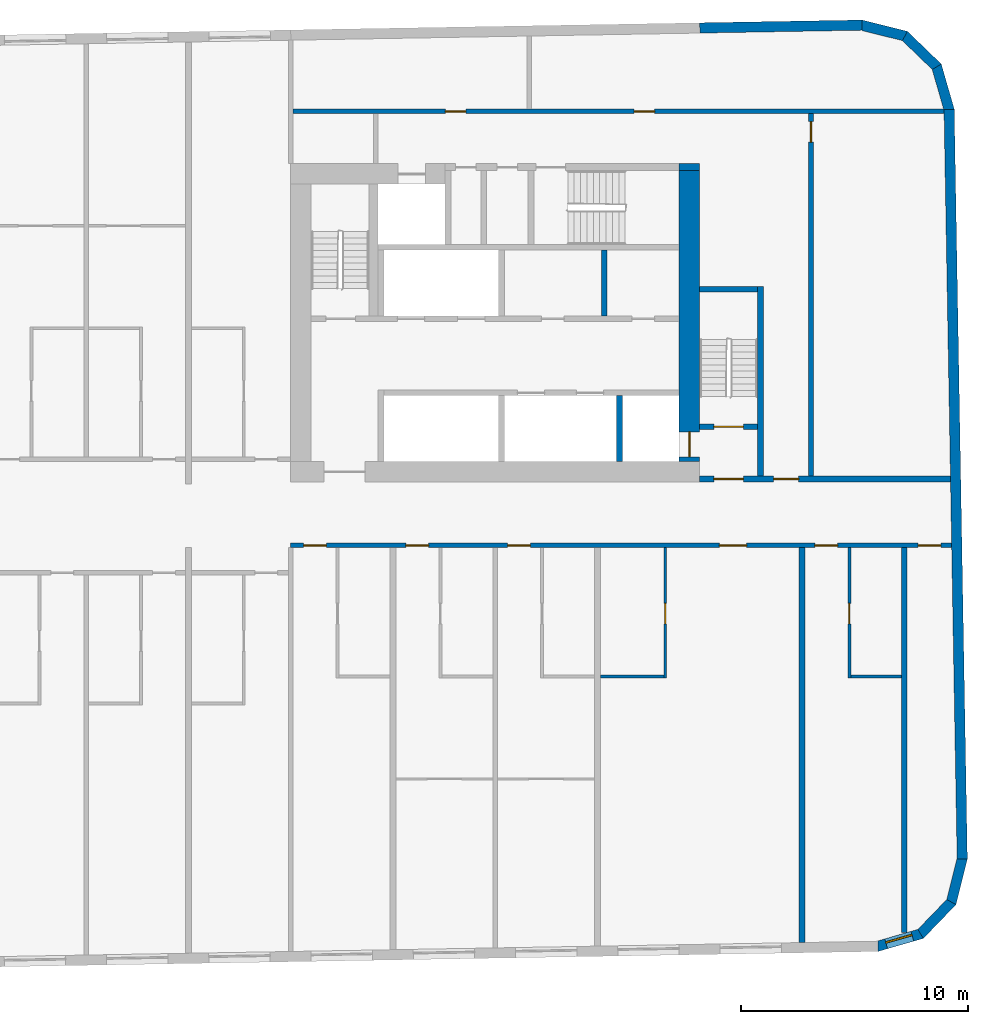
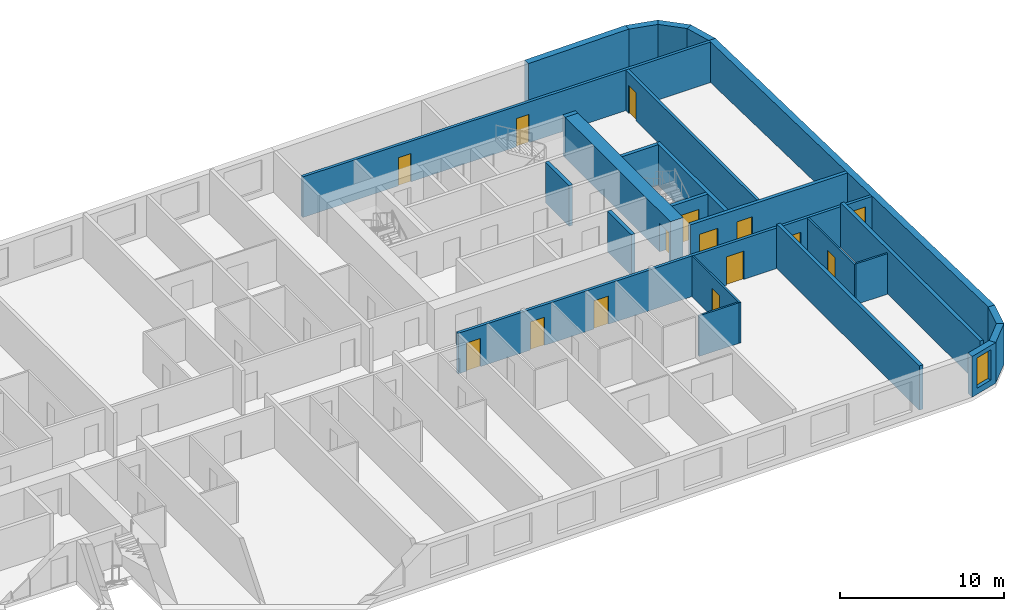
# One storey, part 7 of 11: 25 walls, 15 doors, 1 window, 16 openings.
"""IFC4 building model written with IfcOpenShell, lengths in metres."""

import ifcopenshell
import ifcopenshell.guid

model = None  # the IFC model being written
_history = None  # IfcOwnerHistory: only IFC2X3 demands one
_inside = {}  # id of a spatial element -> (the spatial element, [elements in it])
_under = {}  # id of a project, library or spatial element -> (it, [spatial elements below it])
_declared = {}  # id of a project -> (the project, [libraries it declares])
_typed = {}  # id of a type object -> (the type object, [elements of that type])
_made_of = {}  # id of a material, layer set ... -> (it, [elements and type objects made of it])


def new_model(schema):
    """Start an empty IFC model of exactly this schema.

    Asked for "IFC4X3", IfcOpenShell would pick the latest addendum, in which some entities
    have other attributes; the version numbers below select the first issue.
    IFC2X3 requires an IfcOwnerHistory on every rooted entity: one is made here for all.
    """
    global model, _history
    if schema == "IFC4X3":
        model = ifcopenshell.file(schema_version=(4, 3, 0, 0))
    else:
        model = ifcopenshell.file(schema=schema)
    _inside.clear()
    _under.clear()
    _declared.clear()
    _typed.clear()
    _made_of.clear()
    _history = None
    if model.schema == "IFC2X3":
        org = make("IfcOrganization", Name="unknown")
        user = make(
            "IfcPersonAndOrganization",
            ThePerson=make("IfcPerson", FamilyName="unknown"),
            TheOrganization=org,
        )
        app = make(
            "IfcApplication",
            ApplicationDeveloper=org,
            Version="unknown",
            ApplicationFullName="unknown",
            ApplicationIdentifier="unknown",
        )
        _history = make(
            "IfcOwnerHistory",
            OwningUser=user,
            OwningApplication=app,
            ChangeAction="ADDED",
            CreationDate=0,
        )
    return model


def make(cls, **values):
    """One entity of the class cls with the attributes given. An attribute that is None is left unset."""
    return model.create_entity(
        cls, **{name: value for name, value in values.items() if value is not None}
    )


def rooted(cls, **values):
    """An entity with a GlobalId (a new one), such as an element, a storey or a relation."""
    return make(cls, GlobalId=ifcopenshell.guid.new(), OwnerHistory=_history, **values)


def si_unit(unit_type, name, prefix=None):
    """IfcSIUnit, for example si_unit("LENGTHUNIT", "METRE", prefix="MILLI")."""
    return make("IfcSIUnit", UnitType=unit_type, Prefix=prefix, Name=name)


def assignment(units):
    """IfcUnitAssignment: the units of a project."""
    return None if units is None else make("IfcUnitAssignment", Units=units)


def point(xyz):
    """IfcCartesianPoint."""
    return None if xyz is None else make("IfcCartesianPoint", Coordinates=xyz)


def direction(xyz):
    """IfcDirection."""
    return None if xyz is None else make("IfcDirection", DirectionRatios=xyz)


def frame(location, z_axis=None, x_axis=None):
    """IfcAxis2Placement3D, a coordinate frame: its origin and axes. An axis left out is left unset."""
    return make(
        "IfcAxis2Placement3D",
        Location=point(location),
        Axis=direction(z_axis),
        RefDirection=direction(x_axis),
    )


def frame_2d(location, x_axis=None):
    """IfcAxis2Placement2D, a coordinate frame in the plane: its origin and x axis."""
    return make(
        "IfcAxis2Placement2D", Location=point(location), RefDirection=direction(x_axis)
    )


def origin():
    """The frame at (0, 0, 0) with its axes left unset."""
    return frame((0.0, 0.0, 0.0))


def place(relative_to, where):
    """IfcLocalPlacement: puts the frame where relative to a parent placement (None: the world)."""
    return make(
        "IfcLocalPlacement", PlacementRelTo=relative_to, RelativePlacement=where
    )


def context(
    kind, dimensions, precision=None, world=None, true_north=None, identifier=None
):
    """IfcGeometricRepresentationContext, for example the 3D "Model" context."""
    return make(
        "IfcGeometricRepresentationContext",
        ContextIdentifier=identifier,
        ContextType=kind,
        CoordinateSpaceDimension=dimensions,
        Precision=precision,
        WorldCoordinateSystem=world,
        TrueNorth=true_north,
    )


def subcontext(parent, identifier, kind, view, scale=None):
    """IfcGeometricRepresentationSubContext, for example "Body" below "Model"."""
    return make(
        "IfcGeometricRepresentationSubContext",
        ContextIdentifier=identifier,
        ContextType=kind,
        ParentContext=parent,
        TargetScale=scale,
        TargetView=view,
    )


def project(units=None, contexts=None):
    """IfcProject with its units and contexts."""
    return rooted(
        "IfcProject",
        Name="project",
        RepresentationContexts=contexts,
        UnitsInContext=assignment(units),
    )


def spatial(cls, under=None, at=None, **own):
    """A site, building, storey or space (cls), placed at a placement, below another one or the project."""
    s = rooted(cls, ObjectPlacement=at, **own)
    if under is not None:
        _under.setdefault(under.id(), (under, []))[1].append(s)
    return s


def polyline(points):
    """IfcPolyline through the points."""
    return make("IfcPolyline", Points=[point(p) for p in points])


def profile(cls, at=None, kind="AREA", **sizes):
    """A parametric profile (cls). Its sizes go by their IFC names, for example OverallWidth=200.0."""
    return make(cls, ProfileType=kind, Position=at, **sizes)


def rectangle(**sizes):
    """IfcRectangleProfileDef."""
    return profile("IfcRectangleProfileDef", **sizes)


def outline(outer, holes=None, kind="AREA"):
    """IfcArbitraryClosedProfileDef: a profile drawn as a closed curve; with holes, ...WithVoids."""
    if holes is None:
        return make("IfcArbitraryClosedProfileDef", ProfileType=kind, OuterCurve=outer)
    return make(
        "IfcArbitraryProfileDefWithVoids",
        ProfileType=kind,
        OuterCurve=outer,
        InnerCurves=holes,
    )


def extrude(swept, where, along, depth):
    """IfcExtrudedAreaSolid: the profile swept, set in the frame where, extruded along a direction by depth."""
    return make(
        "IfcExtrudedAreaSolid",
        SweptArea=swept,
        Position=where,
        ExtrudedDirection=direction(along),
        Depth=depth,
    )


def shape(context_of_items, identifier, shape_type, items):
    """IfcShapeRepresentation: the items that make up one representation, for example the "Body"."""
    return make(
        "IfcShapeRepresentation",
        ContextOfItems=context_of_items,
        RepresentationIdentifier=identifier,
        RepresentationType=shape_type,
        Items=items,
    )


def material(Name=None, Category=None):
    """IfcMaterial."""
    return make("IfcMaterial", Name=Name, Category=Category)


def layer(
    of_material, thickness, ventilated=None, Name=None, Category=None, Priority=None
):
    """IfcMaterialLayer: one layer of a wall or slab, of a material (None: an air gap)."""
    return make(
        "IfcMaterialLayer",
        Material=of_material,
        LayerThickness=thickness,
        IsVentilated=ventilated,
        Name=Name,
        Category=Category,
        Priority=Priority,
    )


def layer_set(layers, Name=None):
    """IfcMaterialLayerSet."""
    return make("IfcMaterialLayerSet", MaterialLayers=layers, LayerSetName=Name)


def made_of(thing, what):
    """Note that an element or type object is made of a material, layer set ...; save() writes the relation."""
    if what is not None:
        _made_of.setdefault(what.id(), (what, []))[1].append(thing)
    return thing


def type_object(cls, material=None, **own):
    """A type object (cls), such as IfcWallType, which elements share."""
    return made_of(rooted(cls, **own), material)


def element(
    cls,
    number,
    at=None,
    inside=None,
    cuts=None,
    type_object=None,
    material=None,
    context=None,
    identifier="Body",
    shape_type=None,
    held_by="IfcProductDefinitionShape",
    body=None,
    shapes=None,
    **own,
):
    """One element of the class cls, such as IfcWall. Its Tag is "e" and its number.

    at: its placement. inside: the storey or other place that contains it. cuts: it is an
    opening in that element (IfcRelVoidsElement). A single representation is given by context,
    identifier, shape_type and body (its items); several are given by shapes. held_by: the class
    of the entity that holds the representations. save() writes the other relations.
    """
    e = rooted(cls, Tag="e%d" % number, ObjectPlacement=at, **own)
    if body is not None:
        shapes = [shape(context, identifier, shape_type, body)]
    if shapes is not None:
        e.Representation = make(held_by, Representations=shapes)
    if inside is not None:
        _inside.setdefault(inside.id(), (inside, []))[1].append(e)
    if cuts is not None:
        rooted(
            "IfcRelVoidsElement", RelatingBuildingElement=cuts, RelatedOpeningElement=e
        )
    if type_object is not None:
        _typed.setdefault(type_object.id(), (type_object, []))[1].append(e)
    return made_of(e, material)


def fill(opening, filler):
    """IfcRelFillsElement: the door or window that sits in an opening."""
    return rooted(
        "IfcRelFillsElement",
        RelatingOpeningElement=opening,
        RelatedBuildingElement=filler,
    )


def aggregate(whole, parts):
    """IfcRelAggregates: a whole, such as a stair, and the parts it consists of."""
    return rooted("IfcRelAggregates", RelatingObject=whole, RelatedObjects=parts)


def save(model, path):
    """Write the relations noted so far, then the file.

    IfcRelAggregates (storeys below a building ...), IfcRelContainedInSpatialStructure (elements
    in a storey), IfcRelDefinesByType, IfcRelAssociatesMaterial and IfcRelDeclares: one each for
    every whole, place, type object, material and project.
    """
    for whole, parts in _under.values():
        aggregate(whole, parts)
    for where, things in _inside.values():
        rooted(
            "IfcRelContainedInSpatialStructure",
            RelatedElements=things,
            RelatingStructure=where,
        )
    for kind, things in _typed.values():
        rooted("IfcRelDefinesByType", RelatedObjects=things, RelatingType=kind)
    for what, things in _made_of.values():
        rooted("IfcRelAssociatesMaterial", RelatedObjects=things, RelatingMaterial=what)
    for by, libraries in _declared.values():
        rooted("IfcRelDeclares", RelatingContext=by, RelatedDefinitions=libraries)
    model.write(path)


model = new_model("IFC4")

# Units and contexts
model_context = context("Model", 3, precision=1e-05, world=origin(), true_north=direction((0.0, 1.0)))
body_context = subcontext(model_context, "Body", "Model", "MODEL_VIEW")
ifc_project = project(units=[si_unit("LENGTHUNIT", "METRE"), si_unit("AREAUNIT", "SQUARE_METRE"), si_unit("VOLUMEUNIT", "CUBIC_METRE"), si_unit("PLANEANGLEUNIT", "RADIAN"), si_unit("MASSUNIT", "GRAM", prefix="KILO")], contexts=[model_context])

# Site, building, storey
site_placement = place(None, origin())
site = spatial("IfcSite", under=ifc_project, at=site_placement, CompositionType="ELEMENT")
building_placement = place(site_placement, origin())
building = spatial("IfcBuilding", under=site, at=building_placement, Name="Kajstack Hotel Tower", CompositionType="ELEMENT")
storey_placement = place(building_placement, frame((0.0, 0.0, 230.89990234375)))
storey = spatial("IfcBuildingStorey", under=building, at=storey_placement, Name="L56", CompositionType="ELEMENT", Elevation=230.89990234375)

# Wall
ifc_material_1 = material(Name="Concrete C60/75", Category="concrete")
ifc_layer_1 = layer(ifc_material_1, 0.89990234375)
ifc_layer_set_1 = layer_set([ifc_layer_1], Name="Core wall 900")
wall_type_1 = type_object("IfcWallType", Name="Core wall 900", PredefinedType="SHEAR", material=ifc_layer_set_1)
wall_1_placement = place(storey_placement, frame((30.60009765625, 15.35009765625, 0.0), z_axis=(0.0, 0.0, 1.0), x_axis=(1.0, 0.0, 0.0)))
element("IfcWall", 1, at=wall_1_placement, inside=storey, type_object=wall_type_1, Name="Core wall E RSW", PredefinedType="SHEAR", context=body_context, shape_type="SweptSolid", body=[
    extrude(rectangle(XDim=0.89990234375, YDim=0.300048828125, at=frame_2d((0.449951171875, 0.0))), origin(), (0.0, 0.0, 1.0), 3.02001953125),
])

# Wall, opening, door
wall_2_placement = place(storey_placement, frame((31.050048828125, 2.39990234375, 0.0), z_axis=(0.0, 0.0, 1.0), x_axis=(0.0, 1.0, 0.0)))
wall_2 = element("IfcWall", 2, at=wall_2_placement, inside=storey, type_object=wall_type_1, Name="Core wall E RW", PredefinedType="SHEAR", context=body_context, shape_type="SweptSolid", body=[
    extrude(rectangle(XDim=12.800048828125, YDim=0.89990234375, at=frame_2d((6.39990234375, 0.0))), origin(), (0.0, 0.0, 1.0), 3.02001953125),
])
opening_1_placement = place(wall_2_placement, frame((0.199951171875, 0.0, 0.0)))
opening_1 = element("IfcOpeningElement", 3, at=opening_1_placement, cuts=wall_2, Name="Opening LD-FF2", PredefinedType="OPENING", context=body_context, shape_type="SweptSolid", body=[
    extrude(rectangle(XDim=1.10009765625, YDim=2.10009765625, at=frame_2d((0.550048828125, 1.050048828125))), frame((0.0, 0.4599609375, 0.0), z_axis=(0.0, -1.0, 0.0), x_axis=(1.0, 0.0, 0.0)), (0.0, 0.0, 1.0), 0.919921875),
])
ifc_material_2 = material(Name="Stainless steel", Category="steel")
door_type_1 = type_object("IfcDoorType", Name="Fire-fighting lift landing door 1100", OperationType="SLIDING_TO_LEFT", PredefinedType="DOOR", material=ifc_material_2)
door_1_placement = place(opening_1_placement, origin())
door_1 = element("IfcDoor", 4, at=door_1_placement, inside=storey, type_object=door_type_1, Name="Landing door FF2", OperationType="SLIDING_TO_LEFT", OverallHeight=2.10009765625, OverallWidth=1.10009765625, PredefinedType="DOOR", context=body_context, shape_type="SweptSolid", body=[
    extrude(rectangle(XDim=1.10009765625, YDim=2.10009765625, at=frame_2d((0.550048828125, 1.050048828125))), frame((0.0, 0.02490234375, 0.0), z_axis=(0.0, -1.0, 0.0), x_axis=(1.0, 0.0, 0.0)), (0.0, 0.0, 1.0), 0.050048828125),
])
fill(opening_1, door_1)

# Wall, openings, doors
ifc_material_3 = material(Name="Gypsum board on steel studs, mineral wool", Category="steel")
ifc_layer_2 = layer(ifc_material_3, 0.199951171875)
ifc_layer_set_2 = layer_set([ifc_layer_2], Name="Corridor wall 200")
wall_type_2 = type_object("IfcWallType", Name="Corridor wall 200", PredefinedType="PARTITIONING", material=ifc_layer_set_2)
wall_3_placement = place(storey_placement, frame((13.5, -1.300048828125, 0.0), z_axis=(0.0, 0.0, 1.0), x_axis=(1.0, 0.0, 0.0)))
wall_3 = element("IfcWall", 5, at=wall_3_placement, inside=storey, type_object=wall_type_2, Name="G-wall-L56-026", PredefinedType="PARTITIONING", context=body_context, shape_type="SweptSolid", body=[
    extrude(rectangle(XDim=29.091064453125, YDim=0.199951171875, at=frame_2d((14.54541015625, 0.0))), origin(), (0.0, 0.0, 1.0), 3.02001953125),
])
opening_2_placement = place(wall_3_placement, frame((0.574951171875, 0.0, 0.0)))
opening_2 = element("IfcOpeningElement", 6, at=opening_2_placement, cuts=wall_3, Name="Opening 56029", PredefinedType="OPENING", context=body_context, shape_type="SweptSolid", body=[
    extrude(rectangle(XDim=1.0, YDim=2.10009765625, at=frame_2d((0.5, 1.050048828125))), frame((0.0, 0.10986328125, 0.0), z_axis=(0.0, -1.0, 0.0), x_axis=(1.0, 0.0, 0.0)), (0.0, 0.0, 1.0), 0.219970703125),
])
opening_3_placement = place(wall_3_placement, frame((5.074951171875, 0.0, 0.0)))
opening_3 = element("IfcOpeningElement", 7, at=opening_3_placement, cuts=wall_3, Name="Opening 56031", PredefinedType="OPENING", context=body_context, shape_type="SweptSolid", body=[
    extrude(rectangle(XDim=1.0, YDim=2.10009765625, at=frame_2d((0.5, 1.050048828125))), frame((0.0, 0.10986328125, 0.0), z_axis=(0.0, -1.0, 0.0), x_axis=(1.0, 0.0, 0.0)), (0.0, 0.0, 1.0), 0.219970703125),
])
opening_4_placement = place(wall_3_placement, frame((9.550048828125, 0.0, 0.0)))
opening_4 = element("IfcOpeningElement", 8, at=opening_4_placement, cuts=wall_3, Name="Opening 56034", PredefinedType="OPENING", context=body_context, shape_type="SweptSolid", body=[
    extrude(rectangle(XDim=1.0, YDim=2.10009765625, at=frame_2d((0.5, 1.050048828125))), frame((0.0, 0.10986328125, 0.0), z_axis=(0.0, -1.0, 0.0), x_axis=(1.0, 0.0, 0.0)), (0.0, 0.0, 1.0), 0.219970703125),
])
opening_5_placement = place(wall_3_placement, frame((18.862060546875, 0.0, 0.0)))
opening_5 = element("IfcOpeningElement", 9, at=opening_5_placement, cuts=wall_3, Name="Opening 56037", PredefinedType="OPENING", context=body_context, shape_type="SweptSolid", body=[
    extrude(rectangle(XDim=1.199951171875, YDim=2.10009765625, at=frame_2d((0.60009765625, 1.050048828125))), frame((0.0, 0.10986328125, 0.0), z_axis=(0.0, -1.0, 0.0), x_axis=(1.0, 0.0, 0.0)), (0.0, 0.0, 1.0), 0.219970703125),
])
opening_6_placement = place(wall_3_placement, frame((23.074951171875, 0.0, 0.0)))
opening_6 = element("IfcOpeningElement", 10, at=opening_6_placement, cuts=wall_3, Name="Opening 56039", PredefinedType="OPENING", context=body_context, shape_type="SweptSolid", body=[
    extrude(rectangle(XDim=1.0, YDim=2.10009765625, at=frame_2d((0.5, 1.050048828125))), frame((0.0, 0.10986328125, 0.0), z_axis=(0.0, -1.0, 0.0), x_axis=(1.0, 0.0, 0.0)), (0.0, 0.0, 1.0), 0.219970703125),
])
opening_7_placement = place(wall_3_placement, frame((27.611083984375, 0.0, 0.0)))
opening_7 = element("IfcOpeningElement", 11, at=opening_7_placement, cuts=wall_3, Name="Opening 56041", PredefinedType="OPENING", context=body_context, shape_type="SweptSolid", body=[
    extrude(rectangle(XDim=1.0, YDim=2.39990234375, at=frame_2d((0.5, 1.199951171875))), frame((0.0, 0.10986328125, 0.0), z_axis=(0.0, -1.0, 0.0), x_axis=(1.0, 0.0, 0.0)), (0.0, 0.0, 1.0), 0.219970703125),
])
ifc_material_4 = material(Name="Oak veneer on timber core, fire-rated leaf", Category="wood")
door_type_2 = type_object("IfcDoorType", Name="Flat entrance door 1000", OperationType="SINGLE_SWING_LEFT", PredefinedType="DOOR", material=ifc_material_4)
door_2_placement = place(opening_2_placement, origin())
door_2 = element("IfcDoor", 12, at=door_2_placement, inside=storey, type_object=door_type_2, Name="G-door-L56-29", OperationType="SINGLE_SWING_LEFT", OverallHeight=2.10009765625, OverallWidth=1.0, PredefinedType="DOOR", context=body_context, shape_type="SweptSolid", body=[
    extrude(rectangle(XDim=1.0, YDim=2.10009765625, at=frame_2d((0.5, 1.050048828125))), frame((0.0, 0.02490234375, 0.0), z_axis=(0.0, -1.0, 0.0), x_axis=(1.0, 0.0, 0.0)), (0.0, 0.0, 1.0), 0.050048828125),
])
fill(opening_2, door_2)
door_3_placement = place(opening_3_placement, origin())
door_3 = element("IfcDoor", 13, at=door_3_placement, inside=storey, type_object=door_type_2, Name="G-door-L56-31", OperationType="SINGLE_SWING_RIGHT", OverallHeight=2.10009765625, OverallWidth=1.0, PredefinedType="DOOR", context=body_context, shape_type="SweptSolid", body=[
    extrude(rectangle(XDim=1.0, YDim=2.10009765625, at=frame_2d((0.5, 1.050048828125))), frame((0.0, 0.02490234375, 0.0), z_axis=(0.0, -1.0, 0.0), x_axis=(1.0, 0.0, 0.0)), (0.0, 0.0, 1.0), 0.050048828125),
])
fill(opening_3, door_3)
door_4_placement = place(opening_4_placement, origin())
door_4 = element("IfcDoor", 14, at=door_4_placement, inside=storey, type_object=door_type_2, Name="G-door-L56-34", OperationType="SINGLE_SWING_RIGHT", OverallHeight=2.10009765625, OverallWidth=1.0, PredefinedType="DOOR", context=body_context, shape_type="SweptSolid", body=[
    extrude(rectangle(XDim=1.0, YDim=2.10009765625, at=frame_2d((0.5, 1.050048828125))), frame((0.0, 0.02490234375, 0.0), z_axis=(0.0, -1.0, 0.0), x_axis=(1.0, 0.0, 0.0)), (0.0, 0.0, 1.0), 0.050048828125),
])
fill(opening_4, door_4)
door_5_placement = place(opening_6_placement, origin())
door_5 = element("IfcDoor", 15, at=door_5_placement, inside=storey, type_object=door_type_2, Name="G-door-L56-39", OperationType="SINGLE_SWING_LEFT", OverallHeight=2.10009765625, OverallWidth=1.0, PredefinedType="DOOR", context=body_context, shape_type="SweptSolid", body=[
    extrude(rectangle(XDim=1.0, YDim=2.10009765625, at=frame_2d((0.5, 1.050048828125))), frame((0.0, 0.02490234375, 0.0), z_axis=(0.0, -1.0, 0.0), x_axis=(1.0, 0.0, 0.0)), (0.0, 0.0, 1.0), 0.050048828125),
])
fill(opening_6, door_5)
door_type_3 = type_object("IfcDoorType", Name="Flat entrance door 1200", OperationType="SINGLE_SWING_LEFT", PredefinedType="DOOR", material=ifc_material_4)
door_6_placement = place(opening_5_placement, origin())
door_6 = element("IfcDoor", 16, at=door_6_placement, inside=storey, type_object=door_type_3, Name="G-door-L56-37", OperationType="SINGLE_SWING_LEFT", OverallHeight=2.10009765625, OverallWidth=1.199951171875, PredefinedType="DOOR", context=body_context, shape_type="SweptSolid", body=[
    extrude(rectangle(XDim=1.199951171875, YDim=2.10009765625, at=frame_2d((0.60009765625, 1.050048828125))), frame((0.0, 0.02490234375, 0.0), z_axis=(0.0, -1.0, 0.0), x_axis=(1.0, 0.0, 0.0)), (0.0, 0.0, 1.0), 0.050048828125),
])
fill(opening_5, door_6)
ifc_material_5 = material(Name="Steel-faced door leaf, fire-rated", Category="steel")
door_type_4 = type_object("IfcDoorType", Name="Store door 1000", OperationType="SINGLE_SWING_LEFT", PredefinedType="DOOR", material=ifc_material_5)
door_7_placement = place(opening_7_placement, origin())
door_7 = element("IfcDoor", 17, at=door_7_placement, inside=storey, type_object=door_type_4, Name="G-door-L56-41", OperationType="SINGLE_SWING_LEFT", OverallHeight=2.39990234375, OverallWidth=1.0, PredefinedType="DOOR", context=body_context, shape_type="SweptSolid", body=[
    extrude(rectangle(XDim=1.0, YDim=2.39990234375, at=frame_2d((0.5, 1.199951171875))), frame((0.0, 0.02490234375, 0.0), z_axis=(0.0, -1.0, 0.0), x_axis=(1.0, 0.0, 0.0)), (0.0, 0.0, 1.0), 0.050048828125),
])
fill(opening_7, door_7)

# Wall, opening, window
ifc_material_6 = material(Name="Terracotta-faced brick masonry", Category="masonry")
ifc_layer_3 = layer(ifc_material_6, 0.449951171875)
ifc_layer_set_3 = layer_set([ifc_layer_3], Name="EW-TERRA")
wall_type_3 = type_object("IfcWallType", Name="EW-TERRA", PredefinedType="SOLIDWALL", material=ifc_layer_set_3)
wall_4_placement = place(storey_placement, frame((39.290283203125, -18.952392578125, 0.0), z_axis=(0.0, 0.0, 1.0), x_axis=(0.961247584925, 0.275686562016, 0.0)))
wall_4 = element("IfcWall", 18, at=wall_4_placement, inside=storey, type_object=wall_type_3, Name="E-wall-L56-05-00", PredefinedType="SOLIDWALL", context=body_context, shape_type="SweptSolid", body=[
    extrude(outline(polyline([(0.0, -0.224853515625), (2.070556640625, -0.22509765625), (1.949951171875, 0.224853515625), (0.12060546875, 0.22509765625), (0.0, -0.224853515625)])), origin(), (0.0, 0.0, 1.0), 3.02001953125),
])
opening_8_placement = place(wall_4_placement, frame((0.435302734375, 0.0, 0.449951171875)))
opening_8 = element("IfcOpeningElement", 19, at=opening_8_placement, cuts=wall_4, Name="Opening W3", PredefinedType="OPENING", context=body_context, shape_type="SweptSolid", body=[
    extrude(rectangle(XDim=1.199951171875, YDim=2.25, at=frame_2d((0.60009765625, 1.125))), frame((0.0, 0.23486328125, 0.0), z_axis=(0.0, -1.0, 0.0), x_axis=(1.0, 0.0, 0.0)), (0.0, 0.0, 1.0), 0.469970703125),
])
ifc_material_7 = material(Name="Timber-aluminium window, triple glazed", Category="wood")
window_type = type_object("IfcWindowType", Name="WG3", PartitioningType="SINGLE_PANEL", PredefinedType="WINDOW", material=ifc_material_7)
window_placement = place(opening_8_placement, origin())
window = element("IfcWindow", 20, at=window_placement, inside=storey, type_object=window_type, Name="Window W3 L56-05", OverallHeight=2.25, OverallWidth=1.199951171875, PartitioningType="SINGLE_PANEL", PredefinedType="WINDOW", context=body_context, shape_type="SweptSolid", body=[
    extrude(rectangle(XDim=1.199951171875, YDim=2.25, at=frame_2d((0.60009765625, 1.125))), frame((0.0, 0.090087890625, 0.0), z_axis=(0.0, -1.0, 0.0), x_axis=(1.0, 0.0, 0.0)), (0.0, 0.0, 1.0), 0.06005859375),
])
fill(opening_8, window)

# Walls
wall_5_placement = place(storey_placement, frame((41.1806640625, -18.441650390625, 0.0), z_axis=(0.0, 0.0, 1.0), x_axis=(0.694678672846, 0.719320193998, 0.0)))
element("IfcWall", 21, at=wall_5_placement, inside=storey, type_object=wall_type_3, Name="E-wall-L56-06-00", PredefinedType="SOLIDWALL", context=body_context, shape_type="SweptSolid", body=[
    extrude(outline(polyline([(0.0, -0.22509765625), (2.07080078125, -0.224853515625), (1.9501953125, 0.22509765625), (0.12060546875, 0.22509765625), (0.0, -0.22509765625)])), origin(), (0.0, 0.0, 1.0), 3.02001953125),
])
wall_6_placement = place(storey_placement, frame((42.562744140625, -17.053955078125, 0.0), z_axis=(0.0, 0.0, 1.0), x_axis=(0.241841950319, 0.970315655375, 0.0)))
element("IfcWall", 22, at=wall_6_placement, inside=storey, type_object=wall_type_3, Name="E-wall-L56-07-00", PredefinedType="SOLIDWALL", context=body_context, shape_type="SweptSolid", body=[
    extrude(outline(polyline([(0.0, -0.224853515625), (2.070556640625, -0.22509765625), (1.949951171875, 0.224853515625), (0.12060546875, 0.22509765625), (0.0, -0.224853515625)])), origin(), (0.0, 0.0, 1.0), 3.02001953125),
])
wall_7_placement = place(storey_placement, frame((43.056884765625, -15.103271484375, 0.0), z_axis=(0.0, 0.0, 1.0), x_axis=(-0.017452408953, 0.999847695112, 0.0)))
element("IfcWall", 23, at=wall_7_placement, inside=storey, type_object=wall_type_3, Name="E-wall-L56-08-00", PredefinedType="SOLIDWALL", context=body_context, shape_type="SweptSolid", body=[
    extrude(rectangle(XDim=33.0, YDim=0.449951171875, at=frame_2d((16.5, 0.0))), origin(), (0.0, 0.0, 1.0), 3.02001953125),
])
wall_8_placement = place(storey_placement, frame((42.489501953125, 17.83349609375, 0.0), z_axis=(0.0, 0.0, 1.0), x_axis=(-0.275546368831, 0.961287781377, 0.0)))
element("IfcWall", 24, at=wall_8_placement, inside=storey, type_object=wall_type_3, Name="E-wall-L56-09-00", PredefinedType="SOLIDWALL", context=body_context, shape_type="SweptSolid", body=[
    extrude(outline(polyline([(0.0, -0.22509765625), (2.070556640625, -0.224853515625), (1.949951171875, 0.22509765625), (0.12060546875, 0.224853515625), (0.0, -0.22509765625)])), origin(), (0.0, 0.0, 1.0), 3.02001953125),
])
wall_9_placement = place(storey_placement, frame((41.97900390625, 19.72412109375, 0.0), z_axis=(0.0, 0.0, 1.0), x_axis=(-0.719379111448, 0.694617660308, 0.0)))
element("IfcWall", 25, at=wall_9_placement, inside=storey, type_object=wall_type_3, Name="E-wall-L56-10-00", PredefinedType="SOLIDWALL", context=body_context, shape_type="SweptSolid", body=[
    extrude(outline(polyline([(0.0, -0.224853515625), (2.070556640625, -0.22509765625), (1.949951171875, 0.224853515625), (0.12060546875, 0.22509765625), (0.0, -0.224853515625)])), origin(), (0.0, 0.0, 1.0), 3.02001953125),
])
wall_10_placement = place(storey_placement, frame((40.59130859375, 21.10595703125, 0.0), z_axis=(0.0, 0.0, 1.0), x_axis=(-0.970287979719, 0.241952963225, 0.0)))
element("IfcWall", 26, at=wall_10_placement, inside=storey, type_object=wall_type_3, Name="E-wall-L56-11-00", PredefinedType="SOLIDWALL", context=body_context, shape_type="SweptSolid", body=[
    extrude(outline(polyline([(0.0, -0.22509765625), (2.070556640625, -0.224853515625), (1.949951171875, 0.22509765625), (0.12060546875, 0.224853515625), (0.0, -0.22509765625)])), origin(), (0.0, 0.0, 1.0), 3.02001953125),
])
wall_11_placement = place(storey_placement, frame((38.640625, 21.600341796875, 0.0), z_axis=(0.0, 0.0, 1.0), x_axis=(-0.999847245074, -0.017478172627, 0.0)))
element("IfcWall", 27, at=wall_11_placement, inside=storey, type_object=wall_type_3, Name="E-wall-L56-12-00", PredefinedType="SOLIDWALL", context=body_context, shape_type="SweptSolid", body=[
    extrude(rectangle(XDim=7.1376953125, YDim=0.449951171875, at=frame_2d((3.56884765625, 0.0))), origin(), (0.0, 0.0, 1.0), 3.02001953125),
])

# Wall, opening, door
ifc_material_8 = material(Name="Gypsum board and tiled backer on steel studs", Category="steel")
ifc_layer_4 = layer(ifc_material_8, 0.125)
ifc_layer_set_4 = layer_set([ifc_layer_4], Name="En-suite wall 125")
wall_type_4 = type_object("IfcWallType", Name="En-suite wall 125", PredefinedType="PARTITIONING", material=ifc_layer_set_4)
wall_12_placement = place(storey_placement, frame((29.988037109375, -7.125, 0.0), z_axis=(0.0, 0.0, 1.0), x_axis=(0.0, 1.0, 0.0)))
wall_12 = element("IfcWall", 28, at=wall_12_placement, inside=storey, type_object=wall_type_4, Name="G-wall-L56-048", PredefinedType="PARTITIONING", context=body_context, shape_type="SweptSolid", body=[
    extrude(rectangle(XDim=5.72509765625, YDim=0.125, at=frame_2d((2.862548828125, 0.0))), origin(), (0.0, 0.0, 1.0), 3.02001953125),
])
opening_9_placement = place(wall_12_placement, frame((2.375, 0.0, 0.0)))
opening_9 = element("IfcOpeningElement", 29, at=opening_9_placement, cuts=wall_12, Name="Opening 56038", PredefinedType="OPENING", context=body_context, shape_type="SweptSolid", body=[
    extrude(rectangle(XDim=0.89990234375, YDim=2.10009765625, at=frame_2d((0.449951171875, 1.050048828125))), frame((0.0, 0.072509765625, 0.0), z_axis=(0.0, -1.0, 0.0), x_axis=(1.0, 0.0, 0.0)), (0.0, 0.0, 1.0), 0.14501953125),
])
ifc_material_9 = material(Name="Painted timber door leaf", Category="wood")
door_type_5 = type_object("IfcDoorType", Name="Room door 900", OperationType="SINGLE_SWING_LEFT", PredefinedType="DOOR", material=ifc_material_9)
door_8_placement = place(opening_9_placement, origin())
door_8 = element("IfcDoor", 30, at=door_8_placement, inside=storey, type_object=door_type_5, Name="G-door-L56-38", OperationType="SINGLE_SWING_LEFT", OverallHeight=2.10009765625, OverallWidth=0.89990234375, PredefinedType="DOOR", context=body_context, shape_type="SweptSolid", body=[
    extrude(rectangle(XDim=0.89990234375, YDim=2.10009765625, at=frame_2d((0.449951171875, 1.050048828125))), frame((0.0, 0.02490234375, 0.0), z_axis=(0.0, -1.0, 0.0), x_axis=(1.0, 0.0, 0.0)), (0.0, 0.0, 1.0), 0.050048828125),
])
fill(opening_9, door_8)

# Wall
wall_13_placement = place(storey_placement, frame((27.125, -7.06201171875, 0.0), z_axis=(0.0, 0.0, 1.0), x_axis=(1.0, 0.0, 0.0)))
element("IfcWall", 31, at=wall_13_placement, inside=storey, type_object=wall_type_4, Name="G-wall-L56-049", PredefinedType="PARTITIONING", context=body_context, shape_type="SweptSolid", body=[
    extrude(rectangle(XDim=2.800048828125, YDim=0.125, at=frame_2d((1.39990234375, 0.0))), origin(), (0.0, 0.0, 1.0), 3.02001953125),
])

# Wall, opening, door
wall_14_placement = place(storey_placement, frame((38.0869140625, -7.125, 0.0), z_axis=(0.0, 0.0, 1.0), x_axis=(0.0, 1.0, 0.0)))
wall_14 = element("IfcWall", 32, at=wall_14_placement, inside=storey, type_object=wall_type_4, Name="G-wall-L56-050", PredefinedType="PARTITIONING", context=body_context, shape_type="SweptSolid", body=[
    extrude(rectangle(XDim=5.72509765625, YDim=0.125, at=frame_2d((2.862548828125, 0.0))), origin(), (0.0, 0.0, 1.0), 3.02001953125),
])
opening_10_placement = place(wall_14_placement, frame((2.375, 0.0, 0.0)))
opening_10 = element("IfcOpeningElement", 33, at=opening_10_placement, cuts=wall_14, Name="Opening 56040", PredefinedType="OPENING", context=body_context, shape_type="SweptSolid", body=[
    extrude(rectangle(XDim=0.89990234375, YDim=2.10009765625, at=frame_2d((0.449951171875, 1.050048828125))), frame((0.0, 0.072509765625, 0.0), z_axis=(0.0, -1.0, 0.0), x_axis=(1.0, 0.0, 0.0)), (0.0, 0.0, 1.0), 0.14501953125),
])
door_9_placement = place(opening_10_placement, origin())
door_9 = element("IfcDoor", 34, at=door_9_placement, inside=storey, type_object=door_type_5, Name="G-door-L56-40", OperationType="SINGLE_SWING_LEFT", OverallHeight=2.10009765625, OverallWidth=0.89990234375, PredefinedType="DOOR", context=body_context, shape_type="SweptSolid", body=[
    extrude(rectangle(XDim=0.89990234375, YDim=2.10009765625, at=frame_2d((0.449951171875, 1.050048828125))), frame((0.0, 0.02490234375, 0.0), z_axis=(0.0, -1.0, 0.0), x_axis=(1.0, 0.0, 0.0)), (0.0, 0.0, 1.0), 0.050048828125),
])
fill(opening_10, door_9)

# Walls
wall_15_placement = place(storey_placement, frame((38.14990234375, -7.06201171875, 0.0), z_axis=(0.0, 0.0, 1.0), x_axis=(1.0, 0.0, 0.0)))
element("IfcWall", 35, at=wall_15_placement, inside=storey, type_object=wall_type_4, Name="G-wall-L56-051", PredefinedType="PARTITIONING", context=body_context, shape_type="SweptSolid", body=[
    extrude(rectangle(XDim=2.22509765625, YDim=0.125, at=frame_2d((1.112548828125, 0.0))), origin(), (0.0, 0.0, 1.0), 3.02001953125),
])
ifc_material_10 = material(Name="Concrete C45/55", Category="concrete")
ifc_layer_5 = layer(ifc_material_10, 0.25)
ifc_layer_set_5 = layer_set([ifc_layer_5], Name="RC cross wall 250 C45/55")
wall_type_5 = type_object("IfcWallType", Name="RC cross wall 250 C45/55", PredefinedType="SHEAR", material=ifc_layer_set_5)
wall_16_placement = place(storey_placement, frame((36.0, -18.764892578125, 0.0), z_axis=(0.0, 0.0, 1.0), x_axis=(0.0, 1.0, 0.0)))
element("IfcWall", 36, at=wall_16_placement, inside=storey, type_object=wall_type_5, Name="S-wall-L56-12", PredefinedType="SHEAR", context=body_context, shape_type="SweptSolid", body=[
    extrude(rectangle(XDim=17.364990234375, YDim=0.25, at=frame_2d((8.6826171875, 0.0))), origin(), (0.0, 0.0, 1.0), 3.300048828125),
])
wall_17_placement = place(storey_placement, frame((40.5, -18.3251953125, 0.0), z_axis=(0.0, 0.0, 1.0), x_axis=(0.0, 1.0, 0.0)))
element("IfcWall", 37, at=wall_17_placement, inside=storey, type_object=wall_type_5, Name="S-wall-L56-13", PredefinedType="SHEAR", context=body_context, shape_type="SweptSolid", body=[
    extrude(rectangle(XDim=16.92529296875, YDim=0.25, at=frame_2d((8.462646484375, 0.0))), origin(), (0.0, 0.0, 1.0), 3.300048828125),
])
ifc_material_11 = material(Name="Concrete block masonry", Category="masonry")
ifc_layer_6 = layer(ifc_material_11, 0.25)
ifc_layer_set_6 = layer_set([ifc_layer_6], Name="Riser partition 250")
wall_type_6 = type_object("IfcWallType", Name="Riser partition 250", PredefinedType="PARTITIONING", material=ifc_layer_set_6)
wall_18_placement = place(storey_placement, frame((27.300048828125, 8.800048828125, 0.0), z_axis=(0.0, 0.0, 1.0), x_axis=(0.0, 1.0, 0.0)))
element("IfcWall", 38, at=wall_18_placement, inside=storey, type_object=wall_type_6, Name="Partition E BF0", PredefinedType="PARTITIONING", context=body_context, shape_type="SweptSolid", body=[
    extrude(rectangle(XDim=2.89990234375, YDim=0.25, at=frame_2d((1.449951171875, 0.0))), origin(), (0.0, 0.0, 1.0), 3.02001953125),
])

# Wall, openings, doors
ifc_layer_7 = layer(ifc_material_3, 0.199951171875)
ifc_layer_set_7 = layer_set([ifc_layer_7], Name="Service partition 200")
wall_type_7 = type_object("IfcWallType", Name="Service partition 200", PredefinedType="PARTITIONING", material=ifc_layer_set_7)
wall_19_placement = place(storey_placement, frame((31.5, 1.625, 0.0), z_axis=(0.0, 0.0, 1.0), x_axis=(1.0, 0.0, 0.0)))
wall_19 = element("IfcWall", 39, at=wall_19_placement, inside=storey, type_object=wall_type_7, Name="Partition E SN", PredefinedType="PARTITIONING", context=body_context, shape_type="SweptSolid", body=[
    extrude(rectangle(XDim=11.039794921875, YDim=0.25, at=frame_2d((5.52001953125, 0.0))), origin(), (0.0, 0.0, 1.0), 3.02001953125),
])
opening_11_placement = place(wall_19_placement, frame((0.625, 0.0, 0.0)))
opening_11 = element("IfcOpeningElement", 40, at=opening_11_placement, cuts=wall_19, Name="Opening 56E08", PredefinedType="OPENING", context=body_context, shape_type="SweptSolid", body=[
    extrude(rectangle(XDim=1.300048828125, YDim=2.10009765625, at=frame_2d((0.64990234375, 1.050048828125))), frame((0.0, 0.135009765625, 0.0), z_axis=(0.0, -1.0, 0.0), x_axis=(1.0, 0.0, 0.0)), (0.0, 0.0, 1.0), 0.27001953125),
])
opening_12_placement = place(wall_19_placement, frame((3.25, 0.0, 0.0)))
opening_12 = element("IfcOpeningElement", 41, at=opening_12_placement, cuts=wall_19, Name="Opening 56E10", PredefinedType="OPENING", context=body_context, shape_type="SweptSolid", body=[
    extrude(rectangle(XDim=1.10009765625, YDim=2.10009765625, at=frame_2d((0.550048828125, 1.050048828125))), frame((0.0, 0.135009765625, 0.0), z_axis=(0.0, -1.0, 0.0), x_axis=(1.0, 0.0, 0.0)), (0.0, 0.0, 1.0), 0.27001953125),
])
ifc_material_12 = material(Name="Steel leaf, fire-rated", Category="steel")
door_type_6 = type_object("IfcDoorType", Name="Fire lobby door 1300", OperationType="SINGLE_SWING_LEFT", PredefinedType="DOOR", material=ifc_material_12)
door_10_placement = place(opening_11_placement, origin())
door_10 = element("IfcDoor", 42, at=door_10_placement, inside=storey, type_object=door_type_6, Name="Door 56E08", OperationType="SINGLE_SWING_LEFT", OverallHeight=2.10009765625, OverallWidth=1.300048828125, PredefinedType="DOOR", context=body_context, shape_type="SweptSolid", body=[
    extrude(rectangle(XDim=1.300048828125, YDim=2.10009765625, at=frame_2d((0.64990234375, 1.050048828125))), frame((0.0, 0.02490234375, 0.0), z_axis=(0.0, -1.0, 0.0), x_axis=(1.0, 0.0, 0.0)), (0.0, 0.0, 1.0), 0.050048828125),
])
fill(opening_11, door_10)
ifc_material_13 = material(Name="Timber leaf, fire-rated", Category="wood")
door_type_7 = type_object("IfcDoorType", Name="Service corridor door 1100", OperationType="SINGLE_SWING_LEFT", PredefinedType="DOOR", material=ifc_material_13)
door_11_placement = place(opening_12_placement, origin())
door_11 = element("IfcDoor", 43, at=door_11_placement, inside=storey, type_object=door_type_7, Name="Door 56E10", OperationType="SINGLE_SWING_LEFT", OverallHeight=2.10009765625, OverallWidth=1.10009765625, PredefinedType="DOOR", context=body_context, shape_type="SweptSolid", body=[
    extrude(rectangle(XDim=1.10009765625, YDim=2.10009765625, at=frame_2d((0.550048828125, 1.050048828125))), frame((0.0, 0.02490234375, 0.0), z_axis=(0.0, -1.0, 0.0), x_axis=(1.0, 0.0, 0.0)), (0.0, 0.0, 1.0), 0.050048828125),
])
fill(opening_12, door_11)

# Wall, opening, door
wall_20_placement = place(storey_placement, frame((36.39990234375, 1.75, 0.0), z_axis=(0.0, 0.0, 1.0), x_axis=(0.0, 1.0, 0.0)))
wall_20 = element("IfcWall", 44, at=wall_20_placement, inside=storey, type_object=wall_type_7, Name="Partition E WRE", PredefinedType="PARTITIONING", context=body_context, shape_type="SweptSolid", body=[
    extrude(rectangle(XDim=15.949951171875, YDim=0.199951171875, at=frame_2d((7.97509765625, 0.0))), origin(), (0.0, 0.0, 1.0), 3.02001953125),
])
opening_13_placement = place(wall_20_placement, frame((14.699951171875, 0.0, 0.0)))
opening_13 = element("IfcOpeningElement", 45, at=opening_13_placement, cuts=wall_20, Name="Opening 56E19", PredefinedType="OPENING", context=body_context, shape_type="SweptSolid", body=[
    extrude(rectangle(XDim=0.89990234375, YDim=2.10009765625, at=frame_2d((0.449951171875, 1.050048828125))), frame((0.0, 0.10986328125, 0.0), z_axis=(0.0, -1.0, 0.0), x_axis=(1.0, 0.0, 0.0)), (0.0, 0.0, 1.0), 0.219970703125),
])
door_type_8 = type_object("IfcDoorType", Name="Service door 900", OperationType="SINGLE_SWING_LEFT", PredefinedType="DOOR", material=ifc_material_13)
door_12_placement = place(opening_13_placement, origin())
door_12 = element("IfcDoor", 46, at=door_12_placement, inside=storey, type_object=door_type_8, Name="Door 56E19", OperationType="SINGLE_SWING_RIGHT", OverallHeight=2.10009765625, OverallWidth=0.89990234375, PredefinedType="DOOR", context=body_context, shape_type="SweptSolid", body=[
    extrude(rectangle(XDim=0.89990234375, YDim=2.10009765625, at=frame_2d((0.449951171875, 1.050048828125))), frame((0.0, 0.02490234375, 0.0), z_axis=(0.0, -1.0, 0.0), x_axis=(1.0, 0.0, 0.0)), (0.0, 0.0, 1.0), 0.050048828125),
])
fill(opening_13, door_12)

# Wall, openings, doors
wall_21_placement = place(storey_placement, frame((13.60009765625, 17.800048828125, 0.0), z_axis=(0.0, 0.0, 1.0), x_axis=(1.0, 0.0, 0.0)))
wall_21 = element("IfcWall", 47, at=wall_21_placement, inside=storey, type_object=wall_type_7, Name="Partition E SLN", PredefinedType="PARTITIONING", context=body_context, shape_type="SweptSolid", body=[
    extrude(rectangle(XDim=28.657470703125, YDim=0.199951171875, at=frame_2d((14.32861328125, 0.0))), origin(), (0.0, 0.0, 1.0), 3.02001953125),
])
opening_14_placement = place(wall_21_placement, frame((15.012451171875, 0.0, 0.0)))
opening_14 = element("IfcOpeningElement", 48, at=opening_14_placement, cuts=wall_21, Name="Opening 56E17", PredefinedType="OPENING", context=body_context, shape_type="SweptSolid", body=[
    extrude(rectangle(XDim=0.89990234375, YDim=2.10009765625, at=frame_2d((0.449951171875, 1.050048828125))), frame((0.0, 0.10986328125, 0.0), z_axis=(0.0, -1.0, 0.0), x_axis=(1.0, 0.0, 0.0)), (0.0, 0.0, 1.0), 0.219970703125),
])
opening_15_placement = place(wall_21_placement, frame((6.71240234375, 0.0, 0.0)))
opening_15 = element("IfcOpeningElement", 49, at=opening_15_placement, cuts=wall_21, Name="Opening 56E18", PredefinedType="OPENING", context=body_context, shape_type="SweptSolid", body=[
    extrude(rectangle(XDim=0.89990234375, YDim=2.10009765625, at=frame_2d((0.449951171875, 1.050048828125))), frame((0.0, 0.10986328125, 0.0), z_axis=(0.0, -1.0, 0.0), x_axis=(1.0, 0.0, 0.0)), (0.0, 0.0, 1.0), 0.219970703125),
])
door_13_placement = place(opening_14_placement, origin())
door_13 = element("IfcDoor", 50, at=door_13_placement, inside=storey, type_object=door_type_8, Name="Door 56E17", OperationType="SINGLE_SWING_LEFT", OverallHeight=2.10009765625, OverallWidth=0.89990234375, PredefinedType="DOOR", context=body_context, shape_type="SweptSolid", body=[
    extrude(rectangle(XDim=0.89990234375, YDim=2.10009765625, at=frame_2d((0.449951171875, 1.050048828125))), frame((0.0, 0.02490234375, 0.0), z_axis=(0.0, -1.0, 0.0), x_axis=(1.0, 0.0, 0.0)), (0.0, 0.0, 1.0), 0.050048828125),
])
fill(opening_14, door_13)
door_14_placement = place(opening_15_placement, origin())
door_14 = element("IfcDoor", 51, at=door_14_placement, inside=storey, type_object=door_type_8, Name="Door 56E18", OperationType="SINGLE_SWING_LEFT", OverallHeight=2.10009765625, OverallWidth=0.89990234375, PredefinedType="DOOR", context=body_context, shape_type="SweptSolid", body=[
    extrude(rectangle(XDim=0.89990234375, YDim=2.10009765625, at=frame_2d((0.449951171875, 1.050048828125))), frame((0.0, 0.02490234375, 0.0), z_axis=(0.0, -1.0, 0.0), x_axis=(1.0, 0.0, 0.0)), (0.0, 0.0, 1.0), 0.050048828125),
])
fill(opening_15, door_14)

# Wall
ifc_material_14 = material(Name="Concrete C50/60", Category="concrete")
ifc_layer_8 = layer(ifc_material_14, 0.25)
ifc_layer_set_8 = layer_set([ifc_layer_8], Name="Shaft wall 250")
wall_type_8 = type_object("IfcWallType", Name="Shaft wall 250", PredefinedType="SHEAR", material=ifc_layer_set_8)
wall_22_placement = place(storey_placement, frame((27.97509765625, 2.39990234375, 0.0), z_axis=(0.0, 0.0, 1.0), x_axis=(0.0, 1.0, 0.0)))
element("IfcWall", 52, at=wall_22_placement, inside=storey, type_object=wall_type_8, Name="Core wall E AP0", PredefinedType="SHEAR", context=body_context, shape_type="SweptSolid", body=[
    extrude(rectangle(XDim=2.900146484375, YDim=0.25, at=frame_2d((1.4501953125, 0.0))), origin(), (0.0, 0.0, 1.0), 3.02001953125),
])

# Wall, opening, door
ifc_material_15 = material(Name="Concrete C40/50", Category="concrete")
ifc_layer_9 = layer(ifc_material_15, 0.25)
ifc_layer_set_9 = layer_set([ifc_layer_9], Name="Stair enclosure wall 250")
wall_type_9 = type_object("IfcWallType", Name="Stair enclosure wall 250", PredefinedType="SHEAR", material=ifc_layer_set_9)
wall_23_placement = place(storey_placement, frame((31.5, 3.925048828125, 0.0), z_axis=(0.0, 0.0, 1.0), x_axis=(1.0, 0.0, 0.0)))
wall_23 = element("IfcWall", 53, at=wall_23_placement, inside=storey, type_object=wall_type_9, Name="Core wall E W1N", PredefinedType="SHEAR", context=body_context, shape_type="SweptSolid", body=[
    extrude(rectangle(XDim=2.550048828125, YDim=0.25, at=frame_2d((1.27490234375, 0.0))), origin(), (0.0, 0.0, 1.0), 3.02001953125),
])
opening_16_placement = place(wall_23_placement, frame((0.625, 0.0, 0.0)))
opening_16 = element("IfcOpeningElement", 54, at=opening_16_placement, cuts=wall_23, Name="Opening 56E09", PredefinedType="OPENING", context=body_context, shape_type="SweptSolid", body=[
    extrude(rectangle(XDim=1.300048828125, YDim=2.10009765625, at=frame_2d((0.64990234375, 1.050048828125))), frame((0.0, 0.135009765625, 0.0), z_axis=(0.0, -1.0, 0.0), x_axis=(1.0, 0.0, 0.0)), (0.0, 0.0, 1.0), 0.27001953125),
])
door_type_9 = type_object("IfcDoorType", Name="Stair door 1300", OperationType="SINGLE_SWING_LEFT", PredefinedType="DOOR", material=ifc_material_12)
door_15_placement = place(opening_16_placement, origin())
door_15 = element("IfcDoor", 55, at=door_15_placement, inside=storey, type_object=door_type_9, Name="Door 56E09", OperationType="SINGLE_SWING_LEFT", OverallHeight=2.10009765625, OverallWidth=1.300048828125, PredefinedType="DOOR", context=body_context, shape_type="SweptSolid", body=[
    extrude(rectangle(XDim=1.300048828125, YDim=2.10009765625, at=frame_2d((0.64990234375, 1.050048828125))), frame((0.0, 0.02490234375, 0.0), z_axis=(0.0, -1.0, 0.0), x_axis=(1.0, 0.0, 0.0)), (0.0, 0.0, 1.0), 0.050048828125),
])
fill(opening_16, door_15)

# Walls
wall_24_placement = place(storey_placement, frame((34.175048828125, 1.75, 0.0), z_axis=(0.0, 0.0, 1.0), x_axis=(0.0, 1.0, 0.0)))
element("IfcWall", 56, at=wall_24_placement, inside=storey, type_object=wall_type_9, Name="Core wall E W1W", PredefinedType="SHEAR", context=body_context, shape_type="SweptSolid", body=[
    extrude(rectangle(XDim=8.35009765625, YDim=0.25, at=frame_2d((4.175048828125, 0.0))), origin(), (0.0, 0.0, 1.0), 3.02001953125),
])
wall_25_placement = place(storey_placement, frame((31.5, 9.97509765625, 0.0), z_axis=(0.0, 0.0, 1.0), x_axis=(1.0, 0.0, 0.0)))
element("IfcWall", 57, at=wall_25_placement, inside=storey, type_object=wall_type_9, Name="Core wall E W1S", PredefinedType="SHEAR", context=body_context, shape_type="SweptSolid", body=[
    extrude(rectangle(XDim=2.550048828125, YDim=0.25, at=frame_2d((1.27490234375, 0.0))), origin(), (0.0, 0.0, 1.0), 3.02001953125),
])

save(model, "model.ifc")
